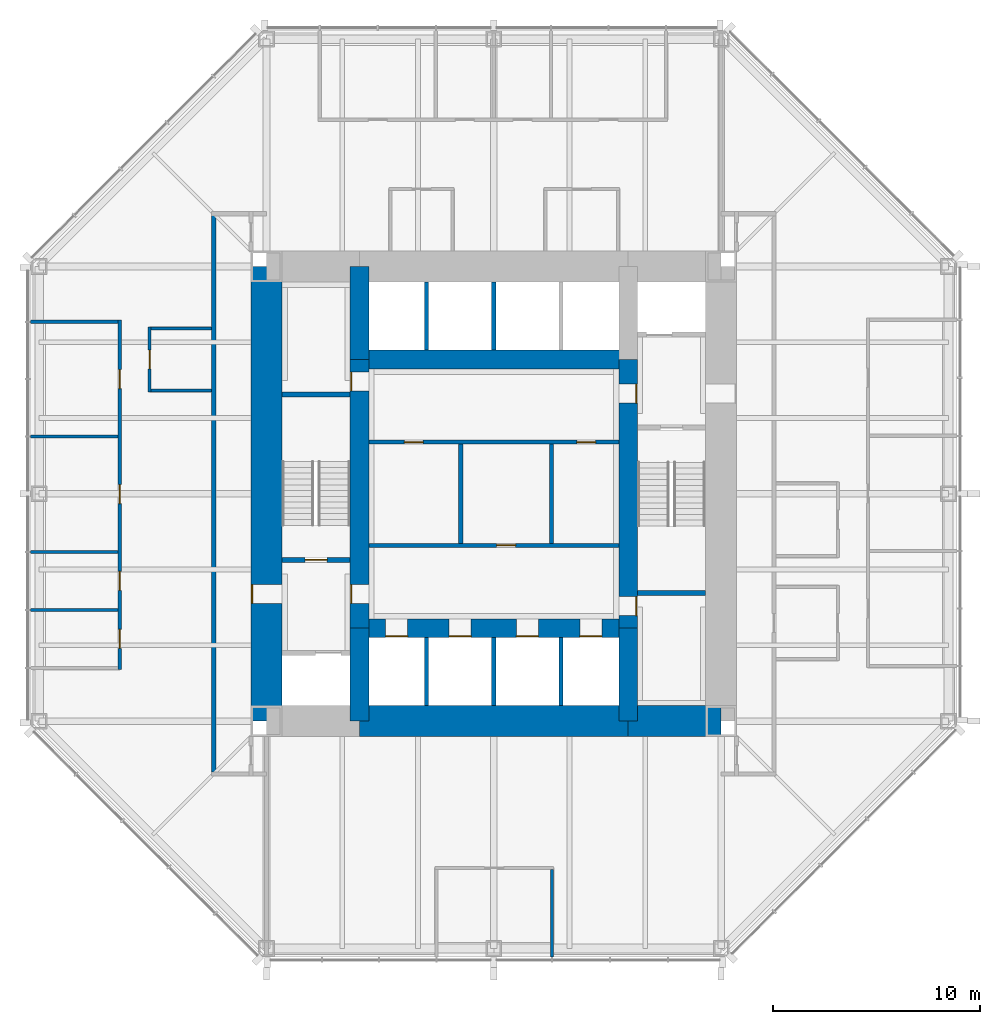
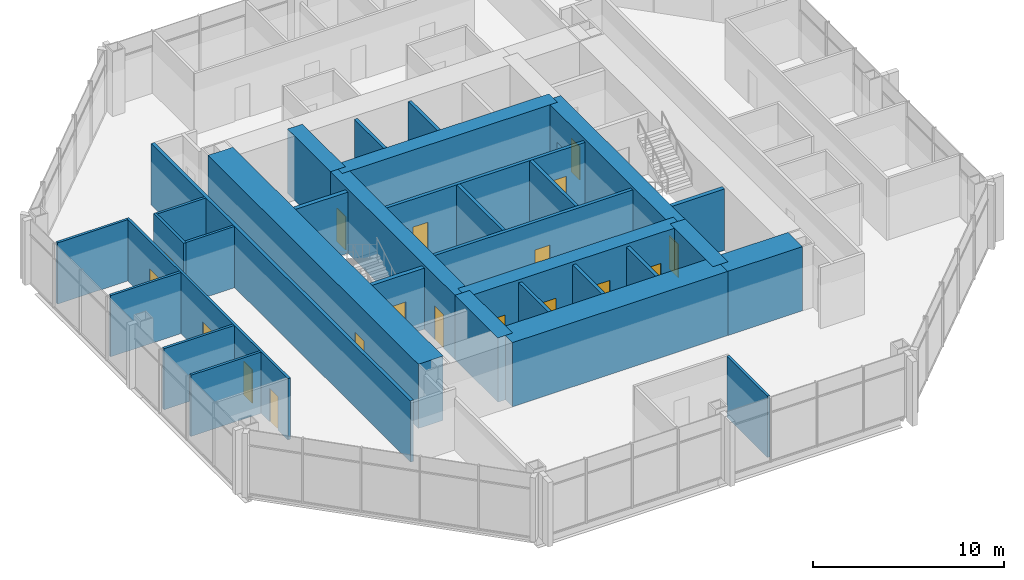
# One storey, part 9 of 12: 32 walls, 18 doors, 18 openings.
"""IFC4 building model written with IfcOpenShell, lengths in metres."""

from ifc_helpers import new_model, si_unit, direction, frame, frame_2d, origin, place, context, subcontext, project, spatial, rectangle, extrude, material, layer, layer_set, type_object, element, fill, save


model = new_model("IFC4")

# Units and contexts
model_context = context("Model", 3, precision=1e-05, world=origin(), true_north=direction((0.0, 1.0)))
body_context = subcontext(model_context, "Body", "Model", "MODEL_VIEW")
ifc_project = project(units=[si_unit("LENGTHUNIT", "METRE"), si_unit("AREAUNIT", "SQUARE_METRE"), si_unit("VOLUMEUNIT", "CUBIC_METRE"), si_unit("PLANEANGLEUNIT", "RADIAN"), si_unit("MASSUNIT", "GRAM", prefix="KILO")], contexts=[model_context])

# Site, building, storey
site_placement = place(None, origin())
site = spatial("IfcSite", under=ifc_project, at=site_placement, CompositionType="ELEMENT")
building_placement = place(site_placement, origin())
building = spatial("IfcBuilding", under=site, at=building_placement, Name="Trevanion Tower", CompositionType="ELEMENT")
storey_placement = place(building_placement, frame((0.0, 0.0, 129.5)))
storey = spatial("IfcBuildingStorey", under=building, at=storey_placement, Name="L30", CompositionType="ELEMENT", Elevation=129.5)

# Wall, opening, door
ifc_material_1 = material(Name="Concrete 10,000 psi", Category="concrete")
ifc_layer_1 = layer(ifc_material_1, 1.5)
ifc_layer_set_1 = layer_set([ifc_layer_1], Name="CW1 core wall 1500")
wall_type_1 = type_object("IfcWallType", Name="CW1 core wall 1500", PredefinedType="SHEAR", material=ifc_layer_set_1)
wall_1_placement = place(storey_placement, frame((-11.0, 11.0, 0.0), z_axis=(0.0, 0.0, 1.0), x_axis=(0.0, -1.0, 0.0)))
wall_1 = element("IfcWall", 1, at=wall_1_placement, inside=storey, type_object=wall_type_1, Name="CW1 CW L30", PredefinedType="SHEAR", context=body_context, shape_type="SweptSolid", body=[
    extrude(rectangle(XDim=22.0, YDim=1.5, at=frame_2d((11.0, 0.0))), origin(), (0.0, 0.0, 1.0), 4.10009765625),
])
opening_1_placement = place(wall_1_placement, frame((15.392578125, 0.0, 0.0)))
opening_1 = element("IfcOpeningElement", 2, at=opening_1_placement, cuts=wall_1, Name="Opening 30-002", PredefinedType="OPENING", context=body_context, shape_type="SweptSolid", body=[
    extrude(rectangle(XDim=0.9150390625, YDim=2.134033203125, at=frame_2d((0.45751953125, 1.06689453125))), frame((0.0, 0.760009765625, 0.0), z_axis=(0.0, -1.0, 0.0), x_axis=(1.0, 0.0, 0.0)), (0.0, 0.0, 1.0), 1.52001953125),
])
ifc_material_2 = material(Name="Hollow metal, fire rated", Category="steel")
door_type_1 = type_object("IfcDoorType", Name="D3 fire lift lobby door", OperationType="SINGLE_SWING_RIGHT", PredefinedType="DOOR", material=ifc_material_2)
door_1_placement = place(opening_1_placement, origin())
door_1 = element("IfcDoor", 3, at=door_1_placement, inside=storey, type_object=door_type_1, Name="Door 30-002", OperationType="SINGLE_SWING_RIGHT", OverallHeight=2.134033203125, OverallWidth=0.9150390625, PredefinedType="DOOR", context=body_context, shape_type="SweptSolid", body=[
    extrude(rectangle(XDim=0.9150390625, YDim=2.134033203125, at=frame_2d((0.45751953125, 1.06689453125))), frame((0.0, -0.6748046875, 0.0), z_axis=(0.0, -1.0, 0.0), x_axis=(1.0, 0.0, 0.0)), (0.0, 0.0, 1.0), 0.050048828125),
])
fill(opening_1, door_1)

# Walls
wall_2_placement = place(storey_placement, frame((-6.5, -11.0, 0.0), z_axis=(0.0, 0.0, 1.0), x_axis=(1.0, 0.0, 0.0)))
element("IfcWall", 4, at=wall_2_placement, inside=storey, type_object=wall_type_1, Name="CW1 CS2 L30", PredefinedType="SHEAR", context=body_context, shape_type="SweptSolid", body=[
    extrude(rectangle(XDim=13.0, YDim=1.5, at=frame_2d((6.5, 0.0))), origin(), (0.0, 0.0, 1.0), 4.10009765625),
])
wall_3_placement = place(storey_placement, frame((6.5, -11.0, 0.0), z_axis=(0.0, 0.0, 1.0), x_axis=(1.0, 0.0, 0.0)))
element("IfcWall", 5, at=wall_3_placement, inside=storey, type_object=wall_type_1, Name="CW1 CS3 L30", PredefinedType="SHEAR", context=body_context, shape_type="SweptSolid", body=[
    extrude(rectangle(XDim=4.5, YDim=1.5, at=frame_2d((2.25, 0.0))), origin(), (0.0, 0.0, 1.0), 4.10009765625),
])
ifc_material_3 = material(Name="Concrete 10,000 psi", Category="concrete")
ifc_layer_2 = layer(ifc_material_3, 0.89990234375)
ifc_layer_set_2 = layer_set([ifc_layer_2], Name="CW2 core wall 900")
wall_type_2 = type_object("IfcWallType", Name="CW2 core wall 900", PredefinedType="SHEAR", material=ifc_layer_set_2)
wall_4_placement = place(storey_placement, frame((6.5, -11.0, 0.0), z_axis=(0.0, 0.0, 1.0), x_axis=(0.0, 1.0, 0.0)))
element("IfcWall", 6, at=wall_4_placement, inside=storey, type_object=wall_type_2, Name="CW2 RE1 L30", PredefinedType="SHEAR", context=body_context, shape_type="SweptSolid", body=[
    extrude(rectangle(XDim=4.5, YDim=0.89990234375, at=frame_2d((2.25, 0.0))), origin(), (0.0, 0.0, 1.0), 4.10009765625),
])

# Wall, openings, doors
wall_5_placement = place(storey_placement, frame((6.5, -6.5, 0.0), z_axis=(0.0, 0.0, 1.0), x_axis=(0.0, 1.0, 0.0)))
wall_5 = element("IfcWall", 7, at=wall_5_placement, inside=storey, type_object=wall_type_2, Name="CW2 RE2 L30", PredefinedType="SHEAR", context=body_context, shape_type="SweptSolid", body=[
    extrude(rectangle(XDim=13.0, YDim=0.89990234375, at=frame_2d((6.5, 0.0))), origin(), (0.0, 0.0, 1.0), 4.10009765625),
])
opening_2_placement = place(wall_5_placement, frame((10.892578125, 0.0, 0.0)))
opening_2 = element("IfcOpeningElement", 8, at=opening_2_placement, cuts=wall_5, Name="Opening 30-003", PredefinedType="OPENING", context=body_context, shape_type="SweptSolid", body=[
    extrude(rectangle(XDim=0.9150390625, YDim=2.134033203125, at=frame_2d((0.45751953125, 1.06689453125))), frame((0.0, 0.4599609375, 0.0), z_axis=(0.0, -1.0, 0.0), x_axis=(1.0, 0.0, 0.0)), (0.0, 0.0, 1.0), 0.919921875),
])
opening_3_placement = place(wall_5_placement, frame((0.610107421875, 0.0, 0.0)))
opening_3 = element("IfcOpeningElement", 9, at=opening_3_placement, cuts=wall_5, Name="Opening 30-009", PredefinedType="OPENING", context=body_context, shape_type="SweptSolid", body=[
    extrude(rectangle(XDim=0.9150390625, YDim=2.134033203125, at=frame_2d((0.45751953125, 1.06689453125))), frame((0.0, 0.4599609375, 0.0), z_axis=(0.0, -1.0, 0.0), x_axis=(1.0, 0.0, 0.0)), (0.0, 0.0, 1.0), 0.919921875),
])
door_2_placement = place(opening_2_placement, origin())
door_2 = element("IfcDoor", 10, at=door_2_placement, inside=storey, type_object=door_type_1, Name="Door 30-003", OperationType="SINGLE_SWING_RIGHT", OverallHeight=2.134033203125, OverallWidth=0.9150390625, PredefinedType="DOOR", context=body_context, shape_type="SweptSolid", body=[
    extrude(rectangle(XDim=0.9150390625, YDim=2.134033203125, at=frame_2d((0.45751953125, 1.06689453125))), frame((0.0, -0.375, 0.0), z_axis=(0.0, -1.0, 0.0), x_axis=(1.0, 0.0, 0.0)), (0.0, 0.0, 1.0), 0.050048828125),
])
fill(opening_2, door_2)
ifc_material_4 = material(Name="Hollow metal, fire rated", Category="steel")
door_type_2 = type_object("IfcDoorType", Name="D5 service room door", OperationType="SINGLE_SWING_RIGHT", PredefinedType="DOOR", material=ifc_material_4)
door_3_placement = place(opening_3_placement, origin())
door_3 = element("IfcDoor", 11, at=door_3_placement, inside=storey, type_object=door_type_2, Name="Door 30-009", OperationType="SINGLE_SWING_RIGHT", OverallHeight=2.134033203125, OverallWidth=0.9150390625, PredefinedType="DOOR", context=body_context, shape_type="SweptSolid", body=[
    extrude(rectangle(XDim=0.9150390625, YDim=2.134033203125, at=frame_2d((0.45751953125, 1.06689453125))), frame((0.0, -0.375, 0.0), z_axis=(0.0, -1.0, 0.0), x_axis=(1.0, 0.0, 0.0)), (0.0, 0.0, 1.0), 0.050048828125),
])
fill(opening_3, door_3)

# Wall
wall_6_placement = place(storey_placement, frame((-6.5, 11.0, 0.0), z_axis=(0.0, 0.0, 1.0), x_axis=(0.0, -1.0, 0.0)))
element("IfcWall", 12, at=wall_6_placement, inside=storey, type_object=wall_type_2, Name="CW2 RW1 L30", PredefinedType="SHEAR", context=body_context, shape_type="SweptSolid", body=[
    extrude(rectangle(XDim=4.5, YDim=0.89990234375, at=frame_2d((2.25, 0.0))), origin(), (0.0, 0.0, 1.0), 4.10009765625),
])

# Wall, openings, doors
wall_7_placement = place(storey_placement, frame((-6.5, 6.5, 0.0), z_axis=(0.0, 0.0, 1.0), x_axis=(0.0, -1.0, 0.0)))
wall_7 = element("IfcWall", 13, at=wall_7_placement, inside=storey, type_object=wall_type_2, Name="CW2 RW2 L30", PredefinedType="SHEAR", context=body_context, shape_type="SweptSolid", body=[
    extrude(rectangle(XDim=13.0, YDim=0.89990234375, at=frame_2d((6.5, 0.0))), origin(), (0.0, 0.0, 1.0), 4.10009765625),
])
opening_4_placement = place(wall_7_placement, frame((10.892578125, 0.0, 0.0)))
opening_4 = element("IfcOpeningElement", 14, at=opening_4_placement, cuts=wall_7, Name="Opening 30-004", PredefinedType="OPENING", context=body_context, shape_type="SweptSolid", body=[
    extrude(rectangle(XDim=0.9150390625, YDim=2.134033203125, at=frame_2d((0.45751953125, 1.06689453125))), frame((0.0, 0.4599609375, 0.0), z_axis=(0.0, -1.0, 0.0), x_axis=(1.0, 0.0, 0.0)), (0.0, 0.0, 1.0), 0.919921875),
])
opening_5_placement = place(wall_7_placement, frame((0.610107421875, 0.0, 0.0)))
opening_5 = element("IfcOpeningElement", 15, at=opening_5_placement, cuts=wall_7, Name="Opening 30-010", PredefinedType="OPENING", context=body_context, shape_type="SweptSolid", body=[
    extrude(rectangle(XDim=0.9150390625, YDim=2.134033203125, at=frame_2d((0.45751953125, 1.06689453125))), frame((0.0, 0.4599609375, 0.0), z_axis=(0.0, -1.0, 0.0), x_axis=(1.0, 0.0, 0.0)), (0.0, 0.0, 1.0), 0.919921875),
])
door_4_placement = place(opening_4_placement, origin())
door_4 = element("IfcDoor", 16, at=door_4_placement, inside=storey, type_object=door_type_1, Name="Door 30-004", OperationType="SINGLE_SWING_RIGHT", OverallHeight=2.134033203125, OverallWidth=0.9150390625, PredefinedType="DOOR", context=body_context, shape_type="SweptSolid", body=[
    extrude(rectangle(XDim=0.9150390625, YDim=2.134033203125, at=frame_2d((0.45751953125, 1.06689453125))), frame((0.0, -0.375, 0.0), z_axis=(0.0, -1.0, 0.0), x_axis=(1.0, 0.0, 0.0)), (0.0, 0.0, 1.0), 0.050048828125),
])
fill(opening_4, door_4)
door_5_placement = place(opening_5_placement, origin())
door_5 = element("IfcDoor", 17, at=door_5_placement, inside=storey, type_object=door_type_2, Name="Door 30-010", OperationType="SINGLE_SWING_RIGHT", OverallHeight=2.134033203125, OverallWidth=0.9150390625, PredefinedType="DOOR", context=body_context, shape_type="SweptSolid", body=[
    extrude(rectangle(XDim=0.9150390625, YDim=2.134033203125, at=frame_2d((0.45751953125, 1.06689453125))), frame((0.0, -0.375, 0.0), z_axis=(0.0, -1.0, 0.0), x_axis=(1.0, 0.0, 0.0)), (0.0, 0.0, 1.0), 0.050048828125),
])
fill(opening_5, door_5)

# Walls
wall_8_placement = place(storey_placement, frame((-6.5, -6.5, 0.0), z_axis=(0.0, 0.0, 1.0), x_axis=(0.0, -1.0, 0.0)))
element("IfcWall", 18, at=wall_8_placement, inside=storey, type_object=wall_type_2, Name="CW2 RW3 L30", PredefinedType="SHEAR", context=body_context, shape_type="SweptSolid", body=[
    extrude(rectangle(XDim=4.5, YDim=0.89990234375, at=frame_2d((2.25, 0.0))), origin(), (0.0, 0.0, 1.0), 4.10009765625),
])
wall_9_placement = place(storey_placement, frame((6.5, 6.5, 0.0), z_axis=(0.0, 0.0, 1.0), x_axis=(-1.0, 0.0, 0.0)))
element("IfcWall", 19, at=wall_9_placement, inside=storey, type_object=wall_type_2, Name="CW2 RN L30", PredefinedType="SHEAR", context=body_context, shape_type="SweptSolid", body=[
    extrude(rectangle(XDim=13.0, YDim=0.89990234375, at=frame_2d((6.5, 0.0))), origin(), (0.0, 0.0, 1.0), 4.10009765625),
])

# Wall, openings, doors
wall_10_placement = place(storey_placement, frame((-6.5, -6.5, 0.0), z_axis=(0.0, 0.0, 1.0), x_axis=(1.0, 0.0, 0.0)))
wall_10 = element("IfcWall", 20, at=wall_10_placement, inside=storey, type_object=wall_type_2, Name="CW2 RS L30", PredefinedType="SHEAR", context=body_context, shape_type="SweptSolid", body=[
    extrude(rectangle(XDim=13.0, YDim=0.89990234375, at=frame_2d((6.5, 0.0))), origin(), (0.0, 0.0, 1.0), 4.10009765625),
])
opening_6_placement = place(wall_10_placement, frame((1.2666015625, 0.0, 0.0)))
opening_6 = element("IfcOpeningElement", 21, at=opening_6_placement, cuts=wall_10, Name="Opening 30-011", PredefinedType="OPENING", context=body_context, shape_type="SweptSolid", body=[
    extrude(rectangle(XDim=1.06689453125, YDim=2.134033203125, at=frame_2d((0.533447265625, 1.06689453125))), frame((0.0, 0.4599609375, 0.0), z_axis=(0.0, -1.0, 0.0), x_axis=(1.0, 0.0, 0.0)), (0.0, 0.0, 1.0), 0.919921875),
])
opening_7_placement = place(wall_10_placement, frame((4.341552734375, 0.0, 0.0)))
opening_7 = element("IfcOpeningElement", 22, at=opening_7_placement, cuts=wall_10, Name="Opening 30-012", PredefinedType="OPENING", context=body_context, shape_type="SweptSolid", body=[
    extrude(rectangle(XDim=1.06689453125, YDim=2.134033203125, at=frame_2d((0.533447265625, 1.06689453125))), frame((0.0, 0.4599609375, 0.0), z_axis=(0.0, -1.0, 0.0), x_axis=(1.0, 0.0, 0.0)), (0.0, 0.0, 1.0), 0.919921875),
])
opening_8_placement = place(wall_10_placement, frame((7.591552734375, 0.0, 0.0)))
opening_8 = element("IfcOpeningElement", 23, at=opening_8_placement, cuts=wall_10, Name="Opening 30-013", PredefinedType="OPENING", context=body_context, shape_type="SweptSolid", body=[
    extrude(rectangle(XDim=1.06689453125, YDim=2.134033203125, at=frame_2d((0.533447265625, 1.06689453125))), frame((0.0, 0.4599609375, 0.0), z_axis=(0.0, -1.0, 0.0), x_axis=(1.0, 0.0, 0.0)), (0.0, 0.0, 1.0), 0.919921875),
])
opening_9_placement = place(wall_10_placement, frame((10.66650390625, 0.0, 0.0)))
opening_9 = element("IfcOpeningElement", 24, at=opening_9_placement, cuts=wall_10, Name="Opening 30-014", PredefinedType="OPENING", context=body_context, shape_type="SweptSolid", body=[
    extrude(rectangle(XDim=1.06689453125, YDim=2.134033203125, at=frame_2d((0.533447265625, 1.06689453125))), frame((0.0, 0.4599609375, 0.0), z_axis=(0.0, -1.0, 0.0), x_axis=(1.0, 0.0, 0.0)), (0.0, 0.0, 1.0), 0.919921875),
])
ifc_material_5 = material(Name="Stainless steel, fire rated", Category="steel")
door_type_3 = type_object("IfcDoorType", Name="LD1 lift landing door", OperationType="SLIDING_TO_LEFT", PredefinedType="DOOR", material=ifc_material_5)
door_6_placement = place(opening_6_placement, origin())
door_6 = element("IfcDoor", 25, at=door_6_placement, inside=storey, type_object=door_type_3, Name="Door 30-011", OperationType="SLIDING_TO_LEFT", OverallHeight=2.134033203125, OverallWidth=1.06689453125, PredefinedType="DOOR", context=body_context, shape_type="SweptSolid", body=[
    extrude(rectangle(XDim=1.06689453125, YDim=2.134033203125, at=frame_2d((0.533447265625, 1.06689453125))), frame((0.0, -0.375, 0.0), z_axis=(0.0, -1.0, 0.0), x_axis=(1.0, 0.0, 0.0)), (0.0, 0.0, 1.0), 0.050048828125),
])
fill(opening_6, door_6)
door_7_placement = place(opening_7_placement, origin())
door_7 = element("IfcDoor", 26, at=door_7_placement, inside=storey, type_object=door_type_3, Name="Door 30-012", OperationType="SLIDING_TO_LEFT", OverallHeight=2.134033203125, OverallWidth=1.06689453125, PredefinedType="DOOR", context=body_context, shape_type="SweptSolid", body=[
    extrude(rectangle(XDim=1.06689453125, YDim=2.134033203125, at=frame_2d((0.533447265625, 1.06689453125))), frame((0.0, -0.375, 0.0), z_axis=(0.0, -1.0, 0.0), x_axis=(1.0, 0.0, 0.0)), (0.0, 0.0, 1.0), 0.050048828125),
])
fill(opening_7, door_7)
door_8_placement = place(opening_8_placement, origin())
door_8 = element("IfcDoor", 27, at=door_8_placement, inside=storey, type_object=door_type_3, Name="Door 30-013", OperationType="SLIDING_TO_LEFT", OverallHeight=2.134033203125, OverallWidth=1.06689453125, PredefinedType="DOOR", context=body_context, shape_type="SweptSolid", body=[
    extrude(rectangle(XDim=1.06689453125, YDim=2.134033203125, at=frame_2d((0.533447265625, 1.06689453125))), frame((0.0, -0.375, 0.0), z_axis=(0.0, -1.0, 0.0), x_axis=(1.0, 0.0, 0.0)), (0.0, 0.0, 1.0), 0.050048828125),
])
fill(opening_8, door_8)
door_9_placement = place(opening_9_placement, origin())
door_9 = element("IfcDoor", 28, at=door_9_placement, inside=storey, type_object=door_type_3, Name="Door 30-014", OperationType="SLIDING_TO_LEFT", OverallHeight=2.134033203125, OverallWidth=1.06689453125, PredefinedType="DOOR", context=body_context, shape_type="SweptSolid", body=[
    extrude(rectangle(XDim=1.06689453125, YDim=2.134033203125, at=frame_2d((0.533447265625, 1.06689453125))), frame((0.0, -0.375, 0.0), z_axis=(0.0, -1.0, 0.0), x_axis=(1.0, 0.0, 0.0)), (0.0, 0.0, 1.0), 0.050048828125),
])
fill(opening_9, door_9)

ifc_material_6 = material(Name="Gypsum board on steel studs", Category="steel")
ifc_layer_3 = layer(ifc_material_6, 0.14990234375)
ifc_layer_set_3 = layer_set([ifc_layer_3], Name="PT1 partition 150")
wall_type_3 = type_object("IfcWallType", Name="PT1 partition 150", PredefinedType="PARTITIONING", material=ifc_layer_set_3)
wall_11_placement = place(storey_placement, frame((-18.10009765625, 8.39794921875, 0.0), z_axis=(0.0, 0.0, 1.0), x_axis=(0.0, -1.0, 0.0)))
wall_11 = element("IfcWall", 29, at=wall_11_placement, inside=storey, type_object=wall_type_3, Name="PT1 L30 FC2F", PredefinedType="PARTITIONING", context=body_context, shape_type="SweptSolid", body=[
    extrude(rectangle(XDim=16.89404296875, YDim=0.14990234375, at=frame_2d((8.447021484375, 0.0))), origin(), (0.0, 0.0, 1.0), 3.909912109375),
])
opening_10_placement = place(wall_11_placement, frame((2.3916015625, 0.0, 0.0)))
opening_10 = element("IfcOpeningElement", 30, at=opening_10_placement, cuts=wall_11, Name="Opening 30-029", PredefinedType="OPENING", context=body_context, shape_type="SweptSolid", body=[
    extrude(rectangle(XDim=0.9150390625, YDim=2.134033203125, at=frame_2d((0.45751953125, 1.06689453125))), frame((0.0, 0.0849609375, 0.0), z_axis=(0.0, -1.0, 0.0), x_axis=(1.0, 0.0, 0.0)), (0.0, 0.0, 1.0), 0.169921875),
])
opening_11_placement = place(wall_11_placement, frame((7.95654296875, 0.0, 0.0)))
opening_11 = element("IfcOpeningElement", 31, at=opening_11_placement, cuts=wall_11, Name="Opening 30-030", PredefinedType="OPENING", context=body_context, shape_type="SweptSolid", body=[
    extrude(rectangle(XDim=0.9150390625, YDim=2.134033203125, at=frame_2d((0.45751953125, 1.06689453125))), frame((0.0, 0.0849609375, 0.0), z_axis=(0.0, -1.0, 0.0), x_axis=(1.0, 0.0, 0.0)), (0.0, 0.0, 1.0), 0.169921875),
])
opening_12_placement = place(wall_11_placement, frame((12.15087890625, 0.0, 0.0)))
opening_12 = element("IfcOpeningElement", 32, at=opening_12_placement, cuts=wall_11, Name="Opening 30-031", PredefinedType="OPENING", context=body_context, shape_type="SweptSolid", body=[
    extrude(rectangle(XDim=0.9150390625, YDim=2.134033203125, at=frame_2d((0.45751953125, 1.06689453125))), frame((0.0, 0.0849609375, 0.0), z_axis=(0.0, -1.0, 0.0), x_axis=(1.0, 0.0, 0.0)), (0.0, 0.0, 1.0), 0.169921875),
])
opening_13_placement = place(wall_11_placement, frame((14.9580078125, 0.0, 0.0)))
opening_13 = element("IfcOpeningElement", 33, at=opening_13_placement, cuts=wall_11, Name="Opening 30-032", PredefinedType="OPENING", context=body_context, shape_type="SweptSolid", body=[
    extrude(rectangle(XDim=0.9150390625, YDim=2.134033203125, at=frame_2d((0.45751953125, 1.06689453125))), frame((0.0, 0.0849609375, 0.0), z_axis=(0.0, -1.0, 0.0), x_axis=(1.0, 0.0, 0.0)), (0.0, 0.0, 1.0), 0.169921875),
])
ifc_material_7 = material(Name="Timber veneer, solid core", Category="wood")
door_type_4 = type_object("IfcDoorType", Name="D1 office and meeting room door", OperationType="SINGLE_SWING_LEFT", PredefinedType="DOOR", material=ifc_material_7)
door_10_placement = place(opening_10_placement, origin())
door_10 = element("IfcDoor", 34, at=door_10_placement, inside=storey, type_object=door_type_4, Name="Door 30-029", OperationType="SINGLE_SWING_LEFT", OverallHeight=2.134033203125, OverallWidth=0.9150390625, PredefinedType="DOOR", context=body_context, shape_type="SweptSolid", body=[
    extrude(rectangle(XDim=0.9150390625, YDim=2.134033203125, at=frame_2d((0.45751953125, 1.06689453125))), frame((0.0, 0.02490234375, 0.0), z_axis=(0.0, -1.0, 0.0), x_axis=(1.0, 0.0, 0.0)), (0.0, 0.0, 1.0), 0.050048828125),
])
fill(opening_10, door_10)
door_11_placement = place(opening_11_placement, origin())
door_11 = element("IfcDoor", 35, at=door_11_placement, inside=storey, type_object=door_type_4, Name="Door 30-030", OperationType="SINGLE_SWING_LEFT", OverallHeight=2.134033203125, OverallWidth=0.9150390625, PredefinedType="DOOR", context=body_context, shape_type="SweptSolid", body=[
    extrude(rectangle(XDim=0.9150390625, YDim=2.134033203125, at=frame_2d((0.45751953125, 1.06689453125))), frame((0.0, 0.02490234375, 0.0), z_axis=(0.0, -1.0, 0.0), x_axis=(1.0, 0.0, 0.0)), (0.0, 0.0, 1.0), 0.050048828125),
])
fill(opening_11, door_11)
door_12_placement = place(opening_12_placement, origin())
door_12 = element("IfcDoor", 36, at=door_12_placement, inside=storey, type_object=door_type_4, Name="Door 30-031", OperationType="SINGLE_SWING_LEFT", OverallHeight=2.134033203125, OverallWidth=0.9150390625, PredefinedType="DOOR", context=body_context, shape_type="SweptSolid", body=[
    extrude(rectangle(XDim=0.9150390625, YDim=2.134033203125, at=frame_2d((0.45751953125, 1.06689453125))), frame((0.0, 0.02490234375, 0.0), z_axis=(0.0, -1.0, 0.0), x_axis=(1.0, 0.0, 0.0)), (0.0, 0.0, 1.0), 0.050048828125),
])
fill(opening_12, door_12)
door_13_placement = place(opening_13_placement, origin())
door_13 = element("IfcDoor", 37, at=door_13_placement, inside=storey, type_object=door_type_4, Name="Door 30-032", OperationType="SINGLE_SWING_LEFT", OverallHeight=2.134033203125, OverallWidth=0.9150390625, PredefinedType="DOOR", context=body_context, shape_type="SweptSolid", body=[
    extrude(rectangle(XDim=0.9150390625, YDim=2.134033203125, at=frame_2d((0.45751953125, 1.06689453125))), frame((0.0, 0.02490234375, 0.0), z_axis=(0.0, -1.0, 0.0), x_axis=(1.0, 0.0, 0.0)), (0.0, 0.0, 1.0), 0.050048828125),
])
fill(opening_13, door_13)

# Walls
for number, where, z_axis, x_axis, name in (
    (38, (-18.175048828125, 8.322998046875, 0.0), (0.0, 0.0, 1.0), (-1.0, 0.0, 0.0), "PT1 L30 FC2S0"),
    (39, (-18.175048828125, 2.77490234375, 0.0), (0.0, 0.0, 1.0), (-1.0, 0.0, 0.0), "PT1 L30 FC2S2"),
    (40, (-18.175048828125, -2.806884765625, 0.0), (0.0, 0.0, 1.0), (-1.0, 0.0, 0.0), "PT1 L30 FC2S4"),
    (41, (-18.175048828125, -5.614013671875, 0.0), (0.0, 0.0, 1.0), (-1.0, 0.0, 0.0), "PT1 L30 FC2S5"),
    (42, (2.806884765625, -18.175048828125, 0.0), (0.0, 0.0, 1.0), (0.0, -1.0, 0.0), "PT1 L30 FC3S2"),
):
    element("IfcWall", number, at=place(storey_placement, frame(where, z_axis=z_axis, x_axis=x_axis)), inside=storey, type_object=wall_type_3, Name=name, PredefinedType="PARTITIONING", context=body_context, shape_type="SweptSolid", body=[
        extrude(rectangle(XDim=4.239990234375, YDim=0.14990234375, at=frame_2d((2.1201171875, 0.0))), origin(), (0.0, 0.0, 1.0), 3.909912109375),
    ])

# Wall, opening, door
wall_12_placement = place(storey_placement, frame((-16.64990234375, 8.074951171875, 0.0), z_axis=(0.0, 0.0, 1.0), x_axis=(0.0, -1.0, 0.0)))
wall_12 = element("IfcWall", 43, at=wall_12_placement, inside=storey, type_object=wall_type_3, Name="PT1 L30 IN20F", PredefinedType="PARTITIONING", context=body_context, shape_type="SweptSolid", body=[
    extrude(rectangle(XDim=3.14990234375, YDim=0.14990234375, at=frame_2d((1.574951171875, 0.0))), origin(), (0.0, 0.0, 1.0), 3.909912109375),
])
opening_14_placement = place(wall_12_placement, frame((1.117431640625, 0.0, 0.0)))
opening_14 = element("IfcOpeningElement", 44, at=opening_14_placement, cuts=wall_12, Name="Opening 30-039", PredefinedType="OPENING", context=body_context, shape_type="SweptSolid", body=[
    extrude(rectangle(XDim=0.9150390625, YDim=2.134033203125, at=frame_2d((0.45751953125, 1.06689453125))), frame((0.0, 0.0849609375, 0.0), z_axis=(0.0, -1.0, 0.0), x_axis=(1.0, 0.0, 0.0)), (0.0, 0.0, 1.0), 0.169921875),
])
door_14_placement = place(opening_14_placement, origin())
door_14 = element("IfcDoor", 45, at=door_14_placement, inside=storey, type_object=door_type_4, Name="Door 30-039", OperationType="SINGLE_SWING_LEFT", OverallHeight=2.134033203125, OverallWidth=0.9150390625, PredefinedType="DOOR", context=body_context, shape_type="SweptSolid", body=[
    extrude(rectangle(XDim=0.9150390625, YDim=2.134033203125, at=frame_2d((0.45751953125, 1.06689453125))), frame((0.0, 0.02490234375, 0.0), z_axis=(0.0, -1.0, 0.0), x_axis=(1.0, 0.0, 0.0)), (0.0, 0.0, 1.0), 0.050048828125),
])
fill(opening_14, door_14)

# Walls
for number, where, z_axis, x_axis, name in (
    (46, (-16.574951171875, 8.0, 0.0), (0.0, 0.0, 1.0), (1.0, 0.0, 0.0), "PT1 L30 IN20S0"),
    (47, (-16.574951171875, 5.0, 0.0), (0.0, 0.0, 1.0), (1.0, 0.0, 0.0), "PT1 L30 IN20S1"),
):
    element("IfcWall", number, at=place(storey_placement, frame(where, z_axis=z_axis, x_axis=x_axis)), inside=storey, type_object=wall_type_3, Name=name, PredefinedType="PARTITIONING", context=body_context, shape_type="SweptSolid", body=[
        extrude(rectangle(XDim=2.925048828125, YDim=0.14990234375, at=frame_2d((1.46240234375, 0.0))), origin(), (0.0, 0.0, 1.0), 3.909912109375),
    ])
ifc_material_8 = material(Name="Concrete masonry, grouted", Category="masonry")
ifc_layer_4 = layer(ifc_material_8, 0.199951171875)
ifc_layer_set_4 = layer_set([ifc_layer_4], Name="PT2 partition 200")
wall_type_4 = type_object("IfcWallType", Name="PT2 partition 200", PredefinedType="PARTITIONING", material=ifc_layer_set_4)
for number, where, z_axis, x_axis, name in (
    (48, (-1.60009765625, -2.39990234375, 0.0), (0.0, 0.0, 1.0), (0.0, 1.0, 0.0), "PT2 L30 TP1"),
    (49, (2.800048828125, -2.39990234375, 0.0), (0.0, 0.0, 1.0), (0.0, 1.0, 0.0), "PT2 L30 TP2"),
):
    element("IfcWall", number, at=place(storey_placement, frame(where, z_axis=z_axis, x_axis=x_axis)), inside=storey, type_object=wall_type_4, Name=name, PredefinedType="PARTITIONING", context=body_context, shape_type="SweptSolid", body=[
        extrude(rectangle(XDim=4.7998046875, YDim=0.199951171875, at=frame_2d((2.39990234375, 0.0))), origin(), (0.0, 0.0, 1.0), 3.909912109375),
    ])

# Wall, openings, doors
ifc_material_9 = material(Name="Concrete masonry, grouted", Category="masonry")
ifc_layer_5 = layer(ifc_material_9, 0.199951171875)
ifc_layer_set_5 = layer_set([ifc_layer_5], Name="PT2 partition 200 1 HR")
wall_type_5 = type_object("IfcWallType", Name="PT2 partition 200 1 HR", PredefinedType="PARTITIONING", material=ifc_layer_set_5)
wall_13_placement = place(storey_placement, frame((-6.050048828125, 2.5, 0.0), z_axis=(0.0, 0.0, 1.0), x_axis=(1.0, 0.0, 0.0)))
wall_13 = element("IfcWall", 50, at=wall_13_placement, inside=storey, type_object=wall_type_5, Name="PT2 L30 CP1", PredefinedType="PARTITIONING", context=body_context, shape_type="SweptSolid", body=[
    extrude(rectangle(XDim=12.10009765625, YDim=0.199951171875, at=frame_2d((6.050048828125, 0.0))), origin(), (0.0, 0.0, 1.0), 3.909912109375),
])
opening_15_placement = place(wall_13_placement, frame((1.717529296875, 0.0, 0.0)))
opening_15 = element("IfcOpeningElement", 51, at=opening_15_placement, cuts=wall_13, Name="Opening 30-015", PredefinedType="OPENING", context=body_context, shape_type="SweptSolid", body=[
    extrude(rectangle(XDim=0.9150390625, YDim=2.134033203125, at=frame_2d((0.45751953125, 1.06689453125))), frame((0.0, 0.10986328125, 0.0), z_axis=(0.0, -1.0, 0.0), x_axis=(1.0, 0.0, 0.0)), (0.0, 0.0, 1.0), 0.219970703125),
])
opening_16_placement = place(wall_13_placement, frame((10.0673828125, 0.0, 0.0)))
opening_16 = element("IfcOpeningElement", 52, at=opening_16_placement, cuts=wall_13, Name="Opening 30-017", PredefinedType="OPENING", context=body_context, shape_type="SweptSolid", body=[
    extrude(rectangle(XDim=0.9150390625, YDim=2.134033203125, at=frame_2d((0.45751953125, 1.06689453125))), frame((0.0, 0.10986328125, 0.0), z_axis=(0.0, -1.0, 0.0), x_axis=(1.0, 0.0, 0.0)), (0.0, 0.0, 1.0), 0.219970703125),
])
ifc_material_10 = material(Name="Plastic laminate on fire-rated core", Category="wood")
door_type_5 = type_object("IfcDoorType", Name="D12 toilet door in a one hour wall", OperationType="SINGLE_SWING_LEFT", PredefinedType="DOOR", material=ifc_material_10)
door_15_placement = place(opening_15_placement, origin())
door_15 = element("IfcDoor", 53, at=door_15_placement, inside=storey, type_object=door_type_5, Name="Door 30-015", OperationType="SINGLE_SWING_LEFT", OverallHeight=2.134033203125, OverallWidth=0.9150390625, PredefinedType="DOOR", context=body_context, shape_type="SweptSolid", body=[
    extrude(rectangle(XDim=0.9150390625, YDim=2.134033203125, at=frame_2d((0.45751953125, 1.06689453125))), frame((0.0, 0.02490234375, 0.0), z_axis=(0.0, -1.0, 0.0), x_axis=(1.0, 0.0, 0.0)), (0.0, 0.0, 1.0), 0.050048828125),
])
fill(opening_15, door_15)
door_16_placement = place(opening_16_placement, origin())
door_16 = element("IfcDoor", 54, at=door_16_placement, inside=storey, type_object=door_type_5, Name="Door 30-017", OperationType="SINGLE_SWING_LEFT", OverallHeight=2.134033203125, OverallWidth=0.9150390625, PredefinedType="DOOR", context=body_context, shape_type="SweptSolid", body=[
    extrude(rectangle(XDim=0.9150390625, YDim=2.134033203125, at=frame_2d((0.45751953125, 1.06689453125))), frame((0.0, 0.02490234375, 0.0), z_axis=(0.0, -1.0, 0.0), x_axis=(1.0, 0.0, 0.0)), (0.0, 0.0, 1.0), 0.050048828125),
])
fill(opening_16, door_16)

# Wall, opening, door
wall_14_placement = place(storey_placement, frame((6.050048828125, -2.5, 0.0), z_axis=(0.0, 0.0, 1.0), x_axis=(-1.0, 0.0, 0.0)))
wall_14 = element("IfcWall", 55, at=wall_14_placement, inside=storey, type_object=wall_type_5, Name="PT2 L30 CP2", PredefinedType="PARTITIONING", context=body_context, shape_type="SweptSolid", body=[
    extrude(rectangle(XDim=12.10009765625, YDim=0.199951171875, at=frame_2d((6.050048828125, 0.0))), origin(), (0.0, 0.0, 1.0), 3.909912109375),
])
opening_17_placement = place(wall_14_placement, frame((4.992431640625, 0.0, 0.0)))
opening_17 = element("IfcOpeningElement", 56, at=opening_17_placement, cuts=wall_14, Name="Opening 30-016", PredefinedType="OPENING", context=body_context, shape_type="SweptSolid", body=[
    extrude(rectangle(XDim=0.9150390625, YDim=2.134033203125, at=frame_2d((0.45751953125, 1.06689453125))), frame((0.0, 0.10986328125, 0.0), z_axis=(0.0, -1.0, 0.0), x_axis=(1.0, 0.0, 0.0)), (0.0, 0.0, 1.0), 0.219970703125),
])
door_17_placement = place(opening_17_placement, origin())
door_17 = element("IfcDoor", 57, at=door_17_placement, inside=storey, type_object=door_type_5, Name="Door 30-016", OperationType="SINGLE_SWING_LEFT", OverallHeight=2.134033203125, OverallWidth=0.9150390625, PredefinedType="DOOR", context=body_context, shape_type="SweptSolid", body=[
    extrude(rectangle(XDim=0.9150390625, YDim=2.134033203125, at=frame_2d((0.45751953125, 1.06689453125))), frame((0.0, 0.02490234375, 0.0), z_axis=(0.0, -1.0, 0.0), x_axis=(1.0, 0.0, 0.0)), (0.0, 0.0, 1.0), 0.050048828125),
])
fill(opening_17, door_17)

# Walls
wall_15_placement = place(storey_placement, frame((-13.550048828125, 13.64990234375, 0.0), z_axis=(0.0, 0.0, 1.0), x_axis=(0.0, -1.0, 0.0)))
element("IfcWall", 58, at=wall_15_placement, inside=storey, type_object=wall_type_5, Name="PT2 L30 OC2", PredefinedType="PARTITIONING", context=body_context, shape_type="SweptSolid", body=[
    extrude(rectangle(XDim=27.099853515625, YDim=0.199951171875, at=frame_2d((13.5498046875, 0.0))), origin(), (0.0, 0.0, 1.0), 3.909912109375),
])
ifc_material_11 = material(Name="Concrete masonry, grouted", Category="masonry")
ifc_layer_6 = layer(ifc_material_11, 0.199951171875)
ifc_layer_set_6 = layer_set([ifc_layer_6], Name="PT2 partition 200 2 HR")
wall_type_6 = type_object("IfcWallType", Name="PT2 partition 200 2 HR", PredefinedType="PARTITIONING", material=ifc_layer_set_6)
for number, where, z_axis, x_axis, name in (
    (59, (-3.25, 6.949951171875, 0.0), (0.0, 0.0, 1.0), (0.0, 1.0, 0.0), "PT2 L30 NS0"),
    (60, (0.0, 6.949951171875, 0.0), (0.0, 0.0, 1.0), (0.0, 1.0, 0.0), "PT2 L30 NS1"),
    (61, (-3.25, -10.25, 0.0), (0.0, 0.0, 1.0), (0.0, 1.0, 0.0), "PT2 L30 SS0"),
    (62, (0.0, -10.25, 0.0), (0.0, 0.0, 1.0), (0.0, 1.0, 0.0), "PT2 L30 SS1"),
    (63, (3.25, -10.25, 0.0), (0.0, 0.0, 1.0), (0.0, 1.0, 0.0), "PT2 L30 SS2"),
):
    element("IfcWall", number, at=place(storey_placement, frame(where, z_axis=z_axis, x_axis=x_axis)), inside=storey, type_object=wall_type_6, Name=name, PredefinedType="PARTITIONING", context=body_context, shape_type="SweptSolid", body=[
        extrude(rectangle(XDim=3.300048828125, YDim=0.199951171875, at=frame_2d((1.64990234375, 0.0))), origin(), (0.0, 0.0, 1.0), 3.909912109375),
    ])
ifc_material_12 = material(Name="Reinforced masonry, fully grouted", Category="masonry")
ifc_layer_7 = layer(ifc_material_12, 0.25)
ifc_layer_set_7 = layer_set([ifc_layer_7], Name="SW1 stair shaft wall 250")
wall_type_7 = type_object("IfcWallType", Name="SW1 stair shaft wall 250", PredefinedType="SOLIDWALL", material=ifc_layer_set_7)
for number, where, z_axis, x_axis, name in (
    (64, (6.949951171875, -4.800048828125, 0.0), (0.0, 0.0, 1.0), (1.0, 0.0, 0.0), "SW1 L30 EP1"),
    (65, (-6.949951171875, 4.800048828125, 0.0), (0.0, 0.0, 1.0), (-1.0, 0.0, 0.0), "SW1 L30 WP1"),
):
    element("IfcWall", number, at=place(storey_placement, frame(where, z_axis=z_axis, x_axis=x_axis)), inside=storey, type_object=wall_type_7, Name=name, PredefinedType="SOLIDWALL", context=body_context, shape_type="SweptSolid", body=[
        extrude(rectangle(XDim=3.300048828125, YDim=0.25, at=frame_2d((1.64990234375, 0.0))), origin(), (0.0, 0.0, 1.0), 3.909912109375),
    ])

# Wall, opening, door
wall_16_placement = place(storey_placement, frame((-6.949951171875, -3.199951171875, 0.0), z_axis=(0.0, 0.0, 1.0), x_axis=(-1.0, 0.0, 0.0)))
wall_16 = element("IfcWall", 66, at=wall_16_placement, inside=storey, type_object=wall_type_7, Name="SW1 L30 WP2", PredefinedType="SOLIDWALL", context=body_context, shape_type="SweptSolid", body=[
    extrude(rectangle(XDim=3.300048828125, YDim=0.25, at=frame_2d((1.64990234375, 0.0))), origin(), (0.0, 0.0, 1.0), 3.909912109375),
])
opening_18_placement = place(wall_16_placement, frame((1.116455078125, 0.0, 0.0)))
opening_18 = element("IfcOpeningElement", 67, at=opening_18_placement, cuts=wall_16, Name="Opening 30-006", PredefinedType="OPENING", context=body_context, shape_type="SweptSolid", body=[
    extrude(rectangle(XDim=1.06689453125, YDim=2.134033203125, at=frame_2d((0.533447265625, 1.06689453125))), frame((0.0, 0.135009765625, 0.0), z_axis=(0.0, -1.0, 0.0), x_axis=(1.0, 0.0, 0.0)), (0.0, 0.0, 1.0), 0.27001953125),
])
ifc_material_13 = material(Name="Hollow metal, fire rated", Category="steel")
door_type_6 = type_object("IfcDoorType", Name="D2 exit stair door", OperationType="SINGLE_SWING_LEFT", PredefinedType="DOOR", material=ifc_material_13)
door_18_placement = place(opening_18_placement, origin())
door_18 = element("IfcDoor", 68, at=door_18_placement, inside=storey, type_object=door_type_6, Name="Door 30-006", OperationType="SINGLE_SWING_LEFT", OverallHeight=2.134033203125, OverallWidth=1.06689453125, PredefinedType="DOOR", context=body_context, shape_type="SweptSolid", body=[
    extrude(rectangle(XDim=1.06689453125, YDim=2.134033203125, at=frame_2d((0.533447265625, 1.06689453125))), frame((0.0, 0.02490234375, 0.0), z_axis=(0.0, -1.0, 0.0), x_axis=(1.0, 0.0, 0.0)), (0.0, 0.0, 1.0), 0.050048828125),
])
fill(opening_18, door_18)

save(model, "model.ifc")
